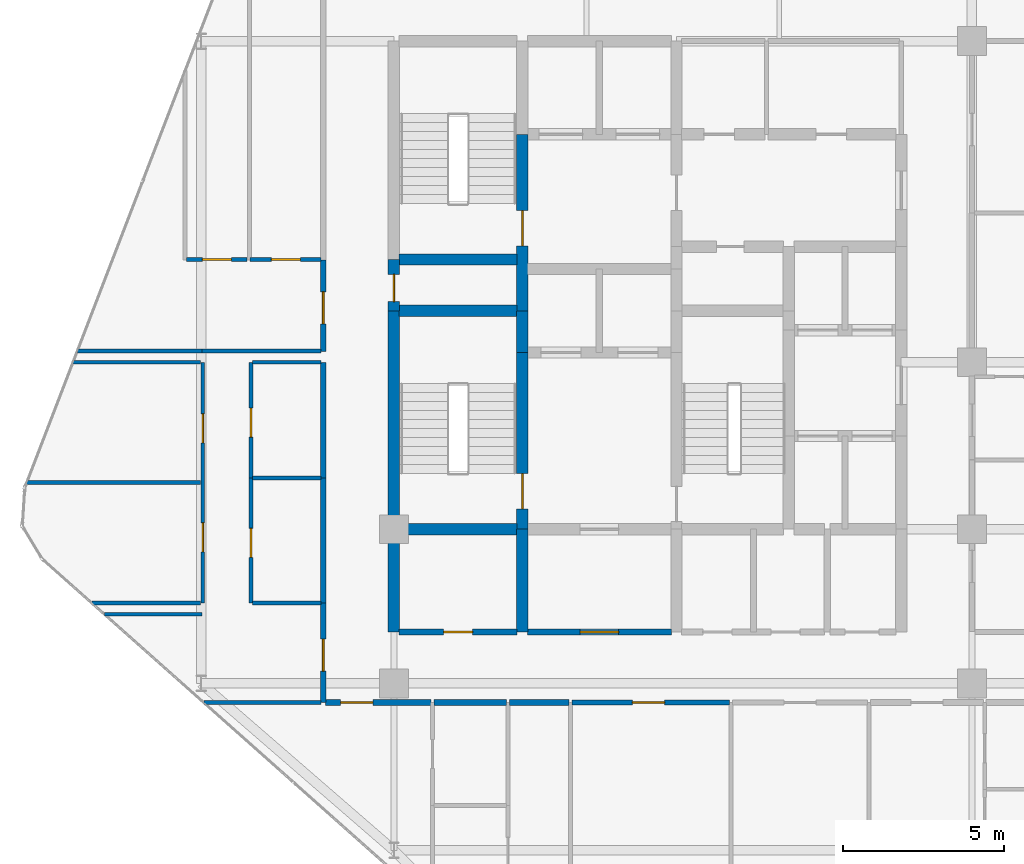
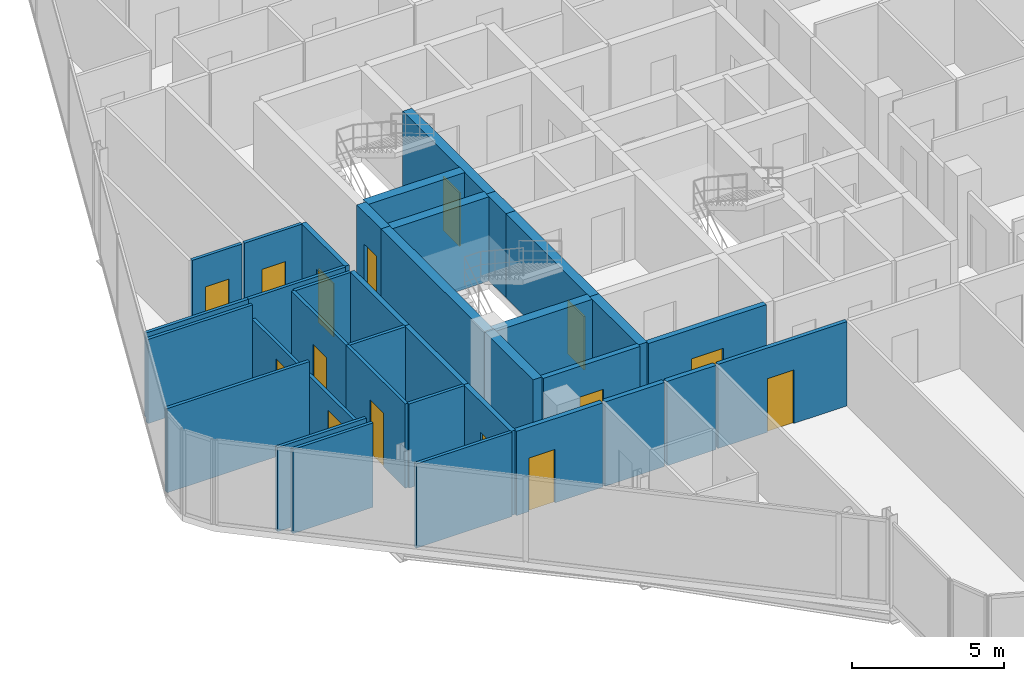
# One storey, part 25 of 31: 35 walls, 15 doors, 15 openings.
"""IFC4 building model written with IfcOpenShell, lengths in metres."""

from ifc_helpers import new_model, si_unit, direction, frame, frame_2d, origin, place, context, subcontext, project, spatial, rectangle, extrude, material, layer, layer_set, type_object, element, fill, save


model = new_model("IFC4")

# Units and contexts
model_context = context("Model", 3, precision=1e-05, world=origin(), true_north=direction((0.0, 1.0)))
body_context = subcontext(model_context, "Body", "Model", "MODEL_VIEW")
ifc_project = project(units=[si_unit("LENGTHUNIT", "METRE"), si_unit("AREAUNIT", "SQUARE_METRE"), si_unit("VOLUMEUNIT", "CUBIC_METRE"), si_unit("PLANEANGLEUNIT", "RADIAN"), si_unit("MASSUNIT", "GRAM", prefix="KILO")], contexts=[model_context])

# Site, building, storey
site_placement = place(None, origin())
site = spatial("IfcSite", under=ifc_project, at=site_placement, CompositionType="ELEMENT")
building_placement = place(site_placement, origin())
building = spatial("IfcBuilding", under=site, at=building_placement, Name="Keshet Zoharim Tower", CompositionType="ELEMENT")
storey_placement = place(building_placement, frame((0.0, 0.0, 144.60009765625)))
storey = spatial("IfcBuildingStorey", under=building, at=storey_placement, Name="L35", CompositionType="ELEMENT", Elevation=144.60009765625)

# Wall, opening, door
ifc_material_1 = material(Name="Gypsum Plasterboard", Category="gypsum")
ifc_layer_1 = layer(ifc_material_1, 0.14990234375)
ifc_layer_set_1 = layer_set([ifc_layer_1], Name="Gypsum Plasterboard")
wall_type_1 = type_object("IfcWallType", Name="WL-CLIN-150", PredefinedType="STANDARD", material=ifc_layer_set_1)
wall_1_placement = place(storey_placement, frame((20.544921875, 17.300048828125, 0.0), z_axis=(0.0, 0.0, 1.0), x_axis=(1.0, 0.0, 0.0)))
wall_1 = element("IfcWall", 1, at=wall_1_placement, inside=storey, type_object=wall_type_1, Name="L35 Interior Wall 122", PredefinedType="STANDARD", context=body_context, shape_type="SweptSolid", body=[
    extrude(rectangle(XDim=4.91015625, YDim=0.14990234375, at=frame_2d((2.455078125, 0.0))), origin(), (0.0, 0.0, 1.0), 3.385009765625),
])
opening_1_placement = place(wall_1_placement, frame((1.884033203125, 0.0, 0.0)))
opening_1 = element("IfcOpeningElement", 2, at=opening_1_placement, cuts=wall_1, Name="Opening D-F310", PredefinedType="OPENING", context=body_context, shape_type="SweptSolid", body=[
    extrude(rectangle(XDim=1.0, YDim=2.14990234375, at=frame_2d((0.5, 1.074951171875))), frame((0.0, 0.0849609375, 0.0), z_axis=(0.0, -1.0, 0.0), x_axis=(1.0, 0.0, 0.0)), (0.0, 0.0, 1.0), 0.169921875),
])
ifc_material_2 = material(Name="Hardwood Timber", Category="wood")
door_type_1 = type_object("IfcDoorType", Name="DR-FD30-100", OperationType="NOTDEFINED", PredefinedType="DOOR", material=ifc_material_2)
door_1_placement = place(opening_1_placement, origin())
door_1 = element("IfcDoor", 3, at=door_1_placement, inside=storey, type_object=door_type_1, Name="L35 Residents Fitness Studio Door", OperationType="SINGLE_SWING_RIGHT", OverallHeight=2.14990234375, OverallWidth=1.0, PredefinedType="DOOR", context=body_context, shape_type="SweptSolid", body=[
    extrude(rectangle(XDim=1.0, YDim=2.14990234375, at=frame_2d((0.5, 1.074951171875))), frame((0.0, 0.02490234375, 0.0), z_axis=(0.0, -1.0, 0.0), x_axis=(1.0, 0.0, 0.0)), (0.0, 0.0, 1.0), 0.050048828125),
])
fill(opening_1, door_1)

# Walls
ifc_material_3 = material(Name="Concrete C60/75", Category="concrete")
ifc_layer_2 = layer(ifc_material_3, 0.35009765625)
ifc_layer_set_2 = layer_set([ifc_layer_2], Name="Concrete C60/75")
wall_type_2 = type_object("IfcWallType", Name="WL-CORE-350", PredefinedType="SHEAR", material=ifc_layer_set_2)
wall_2_placement = place(storey_placement, frame((15.0, 19.5, 0.0), z_axis=(0.0, 0.0, 1.0), x_axis=(0.0, 1.0, 0.0)))
element("IfcWall", 4, at=wall_2_placement, inside=storey, type_object=wall_type_2, Name="L35 Core Shear Wall 014", PredefinedType="SHEAR", context=body_context, shape_type="SweptSolid", body=[
    extrude(rectangle(XDim=3.199951171875, YDim=0.35009765625, at=frame_2d((1.60009765625, 0.0))), origin(), (0.0, 0.0, 1.0), 3.385009765625),
])
wall_3_placement = place(storey_placement, frame((15.0, 22.699951171875, 0.0), z_axis=(0.0, 0.0, 1.0), x_axis=(0.0, 1.0, 0.0)))
element("IfcWall", 5, at=wall_3_placement, inside=storey, type_object=wall_type_2, Name="L35 Core Shear Wall 015", PredefinedType="SHEAR", context=body_context, shape_type="SweptSolid", body=[
    extrude(rectangle(XDim=6.800048828125, YDim=0.35009765625, at=frame_2d((3.39990234375, 0.0))), origin(), (0.0, 0.0, 1.0), 3.385009765625),
])

# Wall, opening, door
wall_4_placement = place(storey_placement, frame((15.0, 29.5, 0.0), z_axis=(0.0, 0.0, 1.0), x_axis=(0.0, 1.0, 0.0)))
wall_4 = element("IfcWall", 6, at=wall_4_placement, inside=storey, type_object=wall_type_2, Name="L35 Core Shear Wall 016", PredefinedType="SHEAR", context=body_context, shape_type="SweptSolid", body=[
    extrude(rectangle(XDim=1.60009765625, YDim=0.35009765625, at=frame_2d((0.800048828125, 0.0))), origin(), (0.0, 0.0, 1.0), 3.385009765625),
])
opening_2_placement = place(wall_4_placement, frame((0.287109375, 0.0, 0.0)))
opening_2 = element("IfcOpeningElement", 7, at=opening_2_placement, cuts=wall_4, Name="Opening D-RS85", PredefinedType="OPENING", context=body_context, shape_type="SweptSolid", body=[
    extrude(rectangle(XDim=0.85009765625, YDim=2.10009765625, at=frame_2d((0.425048828125, 1.050048828125))), frame((0.0, 0.18505859375, 0.0), z_axis=(0.0, -1.0, 0.0), x_axis=(1.0, 0.0, 0.0)), (0.0, 0.0, 1.0), 0.3701171875),
])
door_type_2 = type_object("IfcDoorType", Name="DR-RIS-085", OperationType="NOTDEFINED", PredefinedType="DOOR", material=ifc_material_2)
door_2_placement = place(opening_2_placement, origin())
door_2 = element("IfcDoor", 8, at=door_2_placement, inside=storey, type_object=door_type_2, Name="L35 Electrical Riser Access Cupboard Door", OperationType="SINGLE_SWING_LEFT", OverallHeight=2.10009765625, OverallWidth=0.85009765625, PredefinedType="DOOR", context=body_context, shape_type="SweptSolid", body=[
    extrude(rectangle(XDim=0.85009765625, YDim=2.10009765625, at=frame_2d((0.425048828125, 1.050048828125))), frame((0.0, 0.02490234375, 0.0), z_axis=(0.0, -1.0, 0.0), x_axis=(1.0, 0.0, 0.0)), (0.0, 0.0, 1.0), 0.050048828125),
])
fill(opening_2, door_2)

# Wall
wall_5_placement = place(storey_placement, frame((19.0, 19.5, 0.0), z_axis=(0.0, 0.0, 1.0), x_axis=(0.0, 1.0, 0.0)))
element("IfcWall", 9, at=wall_5_placement, inside=storey, type_object=wall_type_2, Name="L35 Core Shear Wall 024", PredefinedType="SHEAR", context=body_context, shape_type="SweptSolid", body=[
    extrude(rectangle(XDim=3.199951171875, YDim=0.35009765625, at=frame_2d((1.60009765625, 0.0))), origin(), (0.0, 0.0, 1.0), 3.385009765625),
])

# Wall, opening, door
wall_6_placement = place(storey_placement, frame((19.0, 22.699951171875, 0.0), z_axis=(0.0, 0.0, 1.0), x_axis=(0.0, 1.0, 0.0)))
wall_6 = element("IfcWall", 10, at=wall_6_placement, inside=storey, type_object=wall_type_2, Name="L35 Core Shear Wall 025", PredefinedType="SHEAR", context=body_context, shape_type="SweptSolid", body=[
    extrude(rectangle(XDim=5.5, YDim=0.35009765625, at=frame_2d((2.75, 0.0))), origin(), (0.0, 0.0, 1.0), 3.385009765625),
])
opening_3_placement = place(wall_6_placement, frame((0.631103515625, 0.0, 0.0)))
opening_3 = element("IfcOpeningElement", 11, at=opening_3_placement, cuts=wall_6, Name="Opening D-F611", PredefinedType="OPENING", context=body_context, shape_type="SweptSolid", body=[
    extrude(rectangle(XDim=1.10009765625, YDim=2.14990234375, at=frame_2d((0.550048828125, 1.074951171875))), frame((0.0, 0.18505859375, 0.0), z_axis=(0.0, -1.0, 0.0), x_axis=(1.0, 0.0, 0.0)), (0.0, 0.0, 1.0), 0.3701171875),
])
door_type_3 = type_object("IfcDoorType", Name="DR-FD60-110", OperationType="NOTDEFINED", PredefinedType="DOOR", material=ifc_material_2)
door_3_placement = place(opening_3_placement, origin())
door_3 = element("IfcDoor", 12, at=door_3_placement, inside=storey, type_object=door_type_3, Name="L35 Exit Stair ST-01 Fire Door", OperationType="SINGLE_SWING_RIGHT", OverallHeight=2.14990234375, OverallWidth=1.10009765625, PredefinedType="DOOR", context=body_context, shape_type="SweptSolid", body=[
    extrude(rectangle(XDim=1.10009765625, YDim=2.14990234375, at=frame_2d((0.550048828125, 1.074951171875))), frame((0.0, 0.02490234375, 0.0), z_axis=(0.0, -1.0, 0.0), x_axis=(1.0, 0.0, 0.0)), (0.0, 0.0, 1.0), 0.050048828125),
])
fill(opening_3, door_3)

# Wall
wall_7_placement = place(storey_placement, frame((19.0, 28.199951171875, 0.0), z_axis=(0.0, 0.0, 1.0), x_axis=(0.0, 1.0, 0.0)))
element("IfcWall", 13, at=wall_7_placement, inside=storey, type_object=wall_type_2, Name="L35 Core Shear Wall 026", PredefinedType="SHEAR", context=body_context, shape_type="SweptSolid", body=[
    extrude(rectangle(XDim=1.300048828125, YDim=0.35009765625, at=frame_2d((0.64990234375, 0.0))), origin(), (0.0, 0.0, 1.0), 3.385009765625),
])

# Wall, opening, door
wall_8_placement = place(storey_placement, frame((19.0, 29.5, 0.0), z_axis=(0.0, 0.0, 1.0), x_axis=(0.0, 1.0, 0.0)))
wall_8 = element("IfcWall", 14, at=wall_8_placement, inside=storey, type_object=wall_type_2, Name="L35 Core Shear Wall 027", PredefinedType="SHEAR", context=body_context, shape_type="SweptSolid", body=[
    extrude(rectangle(XDim=5.5, YDim=0.35009765625, at=frame_2d((2.75, 0.0))), origin(), (0.0, 0.0, 1.0), 3.385009765625),
])
opening_4_placement = place(wall_8_placement, frame((2.02490234375, 0.0, 0.0)))
opening_4 = element("IfcOpeningElement", 15, at=opening_4_placement, cuts=wall_8, Name="Opening D-F611", PredefinedType="OPENING", context=body_context, shape_type="SweptSolid", body=[
    extrude(rectangle(XDim=1.10009765625, YDim=2.14990234375, at=frame_2d((0.550048828125, 1.074951171875))), frame((0.0, 0.18505859375, 0.0), z_axis=(0.0, -1.0, 0.0), x_axis=(1.0, 0.0, 0.0)), (0.0, 0.0, 1.0), 0.3701171875),
])
door_4_placement = place(opening_4_placement, origin())
door_4 = element("IfcDoor", 16, at=door_4_placement, inside=storey, type_object=door_type_3, Name="L35 Exit Stair ST-02 Fire Door", OperationType="SINGLE_SWING_LEFT", OverallHeight=2.14990234375, OverallWidth=1.10009765625, PredefinedType="DOOR", context=body_context, shape_type="SweptSolid", body=[
    extrude(rectangle(XDim=1.10009765625, YDim=2.14990234375, at=frame_2d((0.550048828125, 1.074951171875))), frame((0.0, 0.02490234375, 0.0), z_axis=(0.0, -1.0, 0.0), x_axis=(1.0, 0.0, 0.0)), (0.0, 0.0, 1.0), 0.050048828125),
])
fill(opening_4, door_4)

# Walls
for number, where, z_axis, x_axis, name in (
    (17, (15.159912109375, 22.699951171875, 0.0), (0.0, 0.0, 1.0), (1.0, 0.0, 0.0), "L35 Core Shear Wall 139"),
    (18, (15.159912109375, 29.5, 0.0), (0.0, 0.0, 1.0), (1.0, 0.0, 0.0), "L35 Core Shear Wall 157"),
    (19, (15.159912109375, 31.10009765625, 0.0), (0.0, 0.0, 1.0), (1.0, 0.0, 0.0), "L35 Core Shear Wall 162"),
):
    element("IfcWall", number, at=place(storey_placement, frame(where, z_axis=z_axis, x_axis=x_axis)), inside=storey, type_object=wall_type_2, Name=name, PredefinedType="SHEAR", context=body_context, shape_type="SweptSolid", body=[
        extrude(rectangle(XDim=3.68017578125, YDim=0.35009765625, at=frame_2d((1.840087890625, 0.0))), origin(), (0.0, 0.0, 1.0), 3.385009765625),
    ])

# Wall, opening, door
ifc_layer_3 = layer(ifc_material_1, 0.179931640625)
ifc_layer_set_3 = layer_set([ifc_layer_3], Name="Gypsum Plasterboard")
wall_type_3 = type_object("IfcWallType", Name="WL-CORR-180", PredefinedType="STANDARD", material=ifc_layer_set_3)
wall_9_placement = place(storey_placement, frame((12.800048828125, 17.300048828125, 0.0), z_axis=(0.0, 0.0, 1.0), x_axis=(0.0, 1.0, 0.0)))
wall_9 = element("IfcWall", 20, at=wall_9_placement, inside=storey, type_object=wall_type_3, Name="L35 Interior Wall 006", PredefinedType="STANDARD", context=body_context, shape_type="SweptSolid", body=[
    extrude(rectangle(XDim=3.099853515625, YDim=0.179931640625, at=frame_2d((1.5498046875, 0.0))), origin(), (0.0, 0.0, 1.0), 3.385009765625),
])
opening_5_placement = place(wall_9_placement, frame((0.97802734375, 0.0, 0.0)))
opening_5 = element("IfcOpeningElement", 21, at=opening_5_placement, cuts=wall_9, Name="Opening D-F310", PredefinedType="OPENING", context=body_context, shape_type="SweptSolid", body=[
    extrude(rectangle(XDim=1.0, YDim=2.14990234375, at=frame_2d((0.5, 1.074951171875))), frame((0.0, 0.10009765625, 0.0), z_axis=(0.0, -1.0, 0.0), x_axis=(1.0, 0.0, 0.0)), (0.0, 0.0, 1.0), 0.199951171875),
])
door_5_placement = place(opening_5_placement, origin())
door_5 = element("IfcDoor", 22, at=door_5_placement, inside=storey, type_object=door_type_1, Name="Apartment 3507 Entrance Door", OperationType="SINGLE_SWING_LEFT", OverallHeight=2.14990234375, OverallWidth=1.0, PredefinedType="DOOR", context=body_context, shape_type="SweptSolid", body=[
    extrude(rectangle(XDim=1.0, YDim=2.14990234375, at=frame_2d((0.5, 1.074951171875))), frame((0.0, 0.02490234375, 0.0), z_axis=(0.0, -1.0, 0.0), x_axis=(1.0, 0.0, 0.0)), (0.0, 0.0, 1.0), 0.050048828125),
])
fill(opening_5, door_5)

# Walls
wall_10_placement = place(storey_placement, frame((12.800048828125, 20.39990234375, 0.0), z_axis=(0.0, 0.0, 1.0), x_axis=(0.0, 1.0, 0.0)))
element("IfcWall", 23, at=wall_10_placement, inside=storey, type_object=wall_type_3, Name="L35 Interior Wall 007", PredefinedType="STANDARD", context=body_context, shape_type="SweptSolid", body=[
    extrude(rectangle(XDim=3.89501953125, YDim=0.179931640625, at=frame_2d((1.947509765625, 0.0))), origin(), (0.0, 0.0, 1.0), 3.385009765625),
])
wall_11_placement = place(storey_placement, frame((12.800048828125, 24.294921875, 0.0), z_axis=(0.0, 0.0, 1.0), x_axis=(0.0, 1.0, 0.0)))
element("IfcWall", 24, at=wall_11_placement, inside=storey, type_object=wall_type_3, Name="L35 Interior Wall 008", PredefinedType="STANDARD", context=body_context, shape_type="SweptSolid", body=[
    extrude(rectangle(XDim=3.594970703125, YDim=0.179931640625, at=frame_2d((1.79736328125, 0.0))), origin(), (0.0, 0.0, 1.0), 3.385009765625),
])

# Wall, opening, door
wall_12_placement = place(storey_placement, frame((12.800048828125, 28.239990234375, 0.0), z_axis=(0.0, 0.0, 1.0), x_axis=(0.0, 1.0, 0.0)))
wall_12 = element("IfcWall", 25, at=wall_12_placement, inside=storey, type_object=wall_type_3, Name="L35 Interior Wall 009", PredefinedType="STANDARD", context=body_context, shape_type="SweptSolid", body=[
    extrude(rectangle(XDim=2.85009765625, YDim=0.179931640625, at=frame_2d((1.425048828125, 0.0))), origin(), (0.0, 0.0, 1.0), 3.385009765625),
])
opening_6_placement = place(wall_12_placement, frame((0.85107421875, 0.0, 0.0)))
opening_6 = element("IfcOpeningElement", 26, at=opening_6_placement, cuts=wall_12, Name="Opening D-F310", PredefinedType="OPENING", context=body_context, shape_type="SweptSolid", body=[
    extrude(rectangle(XDim=1.0, YDim=2.14990234375, at=frame_2d((0.5, 1.074951171875))), frame((0.0, 0.10009765625, 0.0), z_axis=(0.0, -1.0, 0.0), x_axis=(1.0, 0.0, 0.0)), (0.0, 0.0, 1.0), 0.199951171875),
])
door_6_placement = place(opening_6_placement, origin())
door_6 = element("IfcDoor", 27, at=door_6_placement, inside=storey, type_object=door_type_1, Name="Apartment 3508 Entrance Door", OperationType="SINGLE_SWING_RIGHT", OverallHeight=2.14990234375, OverallWidth=1.0, PredefinedType="DOOR", context=body_context, shape_type="SweptSolid", body=[
    extrude(rectangle(XDim=1.0, YDim=2.14990234375, at=frame_2d((0.5, 1.074951171875))), frame((0.0, 0.02490234375, 0.0), z_axis=(0.0, -1.0, 0.0), x_axis=(1.0, 0.0, 0.0)), (0.0, 0.0, 1.0), 0.050048828125),
])
fill(opening_6, door_6)

wall_13_placement = place(storey_placement, frame((12.875, 17.300048828125, 0.0), z_axis=(0.0, 0.0, 1.0), x_axis=(1.0, 0.0, 0.0)))
wall_13 = element("IfcWall", 28, at=wall_13_placement, inside=storey, type_object=wall_type_3, Name="L35 Interior Wall 119", PredefinedType="STANDARD", context=body_context, shape_type="SweptSolid", body=[
    extrude(rectangle(XDim=3.280029296875, YDim=0.179931640625, at=frame_2d((1.64013671875, 0.0))), origin(), (0.0, 0.0, 1.0), 3.385009765625),
])
opening_7_placement = place(wall_13_placement, frame((0.470947265625, 0.0, 0.0)))
opening_7 = element("IfcOpeningElement", 29, at=opening_7_placement, cuts=wall_13, Name="Opening D-F310", PredefinedType="OPENING", context=body_context, shape_type="SweptSolid", body=[
    extrude(rectangle(XDim=1.0, YDim=2.14990234375, at=frame_2d((0.5, 1.074951171875))), frame((0.0, 0.10009765625, 0.0), z_axis=(0.0, -1.0, 0.0), x_axis=(1.0, 0.0, 0.0)), (0.0, 0.0, 1.0), 0.199951171875),
])
door_7_placement = place(opening_7_placement, origin())
door_7 = element("IfcDoor", 30, at=door_7_placement, inside=storey, type_object=door_type_1, Name="Apartment 3501 Entrance Door", OperationType="SINGLE_SWING_LEFT", OverallHeight=2.14990234375, OverallWidth=1.0, PredefinedType="DOOR", context=body_context, shape_type="SweptSolid", body=[
    extrude(rectangle(XDim=1.0, YDim=2.14990234375, at=frame_2d((0.5, 1.074951171875))), frame((0.0, 0.02490234375, 0.0), z_axis=(0.0, -1.0, 0.0), x_axis=(1.0, 0.0, 0.0)), (0.0, 0.0, 1.0), 0.050048828125),
])
fill(opening_7, door_7)

# Walls
wall_14_placement = place(storey_placement, frame((16.2451171875, 17.300048828125, 0.0), z_axis=(0.0, 0.0, 1.0), x_axis=(1.0, 0.0, 0.0)))
element("IfcWall", 31, at=wall_14_placement, inside=storey, type_object=wall_type_3, Name="L35 Interior Wall 120", PredefinedType="STANDARD", context=body_context, shape_type="SweptSolid", body=[
    extrude(rectangle(XDim=2.259765625, YDim=0.179931640625, at=frame_2d((1.1298828125, 0.0))), origin(), (0.0, 0.0, 1.0), 3.385009765625),
])
wall_15_placement = place(storey_placement, frame((18.594970703125, 17.300048828125, 0.0), z_axis=(0.0, 0.0, 1.0), x_axis=(1.0, 0.0, 0.0)))
element("IfcWall", 32, at=wall_15_placement, inside=storey, type_object=wall_type_3, Name="L35 Interior Wall 121", PredefinedType="STANDARD", context=body_context, shape_type="SweptSolid", body=[
    extrude(rectangle(XDim=1.860107421875, YDim=0.179931640625, at=frame_2d((0.93017578125, 0.0))), origin(), (0.0, 0.0, 1.0), 3.385009765625),
])

# Wall, opening, door
ifc_material_4 = material(Name="Concrete C50/60", Category="concrete")
ifc_layer_4 = layer(ifc_material_4, 0.199951171875)
ifc_layer_set_4 = layer_set([ifc_layer_4], Name="Concrete C50/60")
wall_type_4 = type_object("IfcWallType", Name="WL-FIRE-200", PredefinedType="STANDARD", material=ifc_layer_set_4)
wall_16_placement = place(storey_placement, frame((15.159912109375, 19.5, 0.0), z_axis=(0.0, 0.0, 1.0), x_axis=(1.0, 0.0, 0.0)))
wall_16 = element("IfcWall", 33, at=wall_16_placement, inside=storey, type_object=wall_type_4, Name="L35 Interior Wall 131", PredefinedType="STANDARD", context=body_context, shape_type="SweptSolid", body=[
    extrude(rectangle(XDim=3.68017578125, YDim=0.199951171875, at=frame_2d((1.840087890625, 0.0))), origin(), (0.0, 0.0, 1.0), 3.385009765625),
])
opening_8_placement = place(wall_16_placement, frame((1.389892578125, 0.0, 0.0)))
opening_8 = element("IfcOpeningElement", 34, at=opening_8_placement, cuts=wall_16, Name="Opening D-F690", PredefinedType="OPENING", context=body_context, shape_type="SweptSolid", body=[
    extrude(rectangle(XDim=0.89990234375, YDim=2.14990234375, at=frame_2d((0.449951171875, 1.074951171875))), frame((0.0, 0.10986328125, 0.0), z_axis=(0.0, -1.0, 0.0), x_axis=(1.0, 0.0, 0.0)), (0.0, 0.0, 1.0), 0.219970703125),
])
door_type_4 = type_object("IfcDoorType", Name="DR-FD60-090", OperationType="NOTDEFINED", PredefinedType="DOOR", material=ifc_material_2)
door_8_placement = place(opening_8_placement, origin())
door_8 = element("IfcDoor", 35, at=door_8_placement, inside=storey, type_object=door_type_4, Name="L35 Pram Store Door", OperationType="SINGLE_SWING_LEFT", OverallHeight=2.14990234375, OverallWidth=0.89990234375, PredefinedType="DOOR", context=body_context, shape_type="SweptSolid", body=[
    extrude(rectangle(XDim=0.89990234375, YDim=2.14990234375, at=frame_2d((0.449951171875, 1.074951171875))), frame((0.0, 0.02490234375, 0.0), z_axis=(0.0, -1.0, 0.0), x_axis=(1.0, 0.0, 0.0)), (0.0, 0.0, 1.0), 0.050048828125),
])
fill(opening_8, door_8)

wall_17_placement = place(storey_placement, frame((19.159912109375, 19.5, 0.0), z_axis=(0.0, 0.0, 1.0), x_axis=(1.0, 0.0, 0.0)))
wall_17 = element("IfcWall", 36, at=wall_17_placement, inside=storey, type_object=wall_type_4, Name="L35 Interior Wall 132", PredefinedType="STANDARD", context=body_context, shape_type="SweptSolid", body=[
    extrude(rectangle(XDim=4.47998046875, YDim=0.199951171875, at=frame_2d((2.239990234375, 0.0))), origin(), (0.0, 0.0, 1.0), 3.385009765625),
])
opening_9_placement = place(wall_17_placement, frame((1.639892578125, 0.0, 0.0)))
opening_9 = element("IfcOpeningElement", 37, at=opening_9_placement, cuts=wall_17, Name="Opening D-F612", PredefinedType="OPENING", context=body_context, shape_type="SweptSolid", body=[
    extrude(rectangle(XDim=1.199951171875, YDim=2.199951171875, at=frame_2d((0.60009765625, 1.10009765625))), frame((0.0, 0.10986328125, 0.0), z_axis=(0.0, -1.0, 0.0), x_axis=(1.0, 0.0, 0.0)), (0.0, 0.0, 1.0), 0.219970703125),
])
door_type_5 = type_object("IfcDoorType", Name="DR-FD60-120", OperationType="NOTDEFINED", PredefinedType="DOOR", material=ifc_material_2)
door_9_placement = place(opening_9_placement, origin())
door_9 = element("IfcDoor", 38, at=door_9_placement, inside=storey, type_object=door_type_5, Name="L35 South Vestibule Corridor Door", OperationType="SINGLE_SWING_RIGHT", OverallHeight=2.199951171875, OverallWidth=1.199951171875, PredefinedType="DOOR", context=body_context, shape_type="SweptSolid", body=[
    extrude(rectangle(XDim=1.199951171875, YDim=2.199951171875, at=frame_2d((0.60009765625, 1.10009765625))), frame((0.0, 0.02490234375, 0.0), z_axis=(0.0, -1.0, 0.0), x_axis=(1.0, 0.0, 0.0)), (0.0, 0.0, 1.0), 0.050048828125),
])
fill(opening_9, door_9)

# Wall, openings, doors
ifc_layer_5 = layer(ifc_material_1, 0.1201171875)
ifc_layer_set_5 = layer_set([ifc_layer_5], Name="Gypsum Plasterboard")
wall_type_5 = type_object("IfcWallType", Name="WL-PART-120", PredefinedType="PARTITIONING", material=ifc_layer_set_5)
wall_18_placement = place(storey_placement, frame((9.050048828125, 20.39990234375, 0.0), z_axis=(0.0, 0.0, 1.0), x_axis=(0.0, 1.0, 0.0)))
wall_18 = element("IfcWall", 39, at=wall_18_placement, inside=storey, type_object=wall_type_5, Name="L35 Interior Wall 002", PredefinedType="PARTITIONING", context=body_context, shape_type="SweptSolid", body=[
    extrude(rectangle(XDim=7.489990234375, YDim=0.1201171875, at=frame_2d((3.7451171875, 0.0))), origin(), (0.0, 0.0, 1.0), 2.784912109375),
])
opening_10_placement = place(wall_18_placement, frame((1.596923828125, 0.0, 0.0)))
opening_10 = element("IfcOpeningElement", 40, at=opening_10_placement, cuts=wall_18, Name="Opening D-IN90", PredefinedType="OPENING", context=body_context, shape_type="SweptSolid", body=[
    extrude(rectangle(XDim=0.89990234375, YDim=2.14990234375, at=frame_2d((0.449951171875, 1.074951171875))), frame((0.0, 0.070068359375, 0.0), z_axis=(0.0, -1.0, 0.0), x_axis=(1.0, 0.0, 0.0)), (0.0, 0.0, 1.0), 0.14013671875),
])
opening_11_placement = place(wall_18_placement, frame((4.991943359375, 0.0, 0.0)))
opening_11 = element("IfcOpeningElement", 41, at=opening_11_placement, cuts=wall_18, Name="Opening D-IN90", PredefinedType="OPENING", context=body_context, shape_type="SweptSolid", body=[
    extrude(rectangle(XDim=0.89990234375, YDim=2.14990234375, at=frame_2d((0.449951171875, 1.074951171875))), frame((0.0, 0.070068359375, 0.0), z_axis=(0.0, -1.0, 0.0), x_axis=(1.0, 0.0, 0.0)), (0.0, 0.0, 1.0), 0.14013671875),
])
door_type_6 = type_object("IfcDoorType", Name="DR-INT-090", OperationType="NOTDEFINED", PredefinedType="DOOR", material=ifc_material_2)
door_10_placement = place(opening_10_placement, origin())
door_10 = element("IfcDoor", 42, at=door_10_placement, inside=storey, type_object=door_type_6, Name="Apartment 3507 Bedroom 1 Door", OperationType="SINGLE_SWING_LEFT", OverallHeight=2.14990234375, OverallWidth=0.89990234375, PredefinedType="DOOR", context=body_context, shape_type="SweptSolid", body=[
    extrude(rectangle(XDim=0.89990234375, YDim=2.14990234375, at=frame_2d((0.449951171875, 1.074951171875))), frame((0.0, 0.02490234375, 0.0), z_axis=(0.0, -1.0, 0.0), x_axis=(1.0, 0.0, 0.0)), (0.0, 0.0, 1.0), 0.050048828125),
])
fill(opening_10, door_10)
door_11_placement = place(opening_11_placement, origin())
door_11 = element("IfcDoor", 43, at=door_11_placement, inside=storey, type_object=door_type_6, Name="Apartment 3507 Bedroom 2 Door", OperationType="SINGLE_SWING_RIGHT", OverallHeight=2.14990234375, OverallWidth=0.89990234375, PredefinedType="DOOR", context=body_context, shape_type="SweptSolid", body=[
    extrude(rectangle(XDim=0.89990234375, YDim=2.14990234375, at=frame_2d((0.449951171875, 1.074951171875))), frame((0.0, 0.02490234375, 0.0), z_axis=(0.0, -1.0, 0.0), x_axis=(1.0, 0.0, 0.0)), (0.0, 0.0, 1.0), 0.050048828125),
])
fill(opening_11, door_11)

# Wall, opening, door
wall_19_placement = place(storey_placement, frame((10.550048828125, 20.39990234375, 0.0), z_axis=(0.0, 0.0, 1.0), x_axis=(0.0, 1.0, 0.0)))
wall_19 = element("IfcWall", 44, at=wall_19_placement, inside=storey, type_object=wall_type_5, Name="L35 Interior Wall 004", PredefinedType="PARTITIONING", context=body_context, shape_type="SweptSolid", body=[
    extrude(rectangle(XDim=3.89501953125, YDim=0.1201171875, at=frame_2d((1.947509765625, 0.0))), origin(), (0.0, 0.0, 1.0), 3.385009765625),
])
opening_12_placement = place(wall_19_placement, frame((1.424072265625, 0.0, 0.0)))
opening_12 = element("IfcOpeningElement", 45, at=opening_12_placement, cuts=wall_19, Name="Opening D-IN90", PredefinedType="OPENING", context=body_context, shape_type="SweptSolid", body=[
    extrude(rectangle(XDim=0.89990234375, YDim=2.14990234375, at=frame_2d((0.449951171875, 1.074951171875))), frame((0.0, 0.070068359375, 0.0), z_axis=(0.0, -1.0, 0.0), x_axis=(1.0, 0.0, 0.0)), (0.0, 0.0, 1.0), 0.14013671875),
])
door_12_placement = place(opening_12_placement, origin())
door_12 = element("IfcDoor", 46, at=door_12_placement, inside=storey, type_object=door_type_6, Name="Apartment 3507 Kitchen Door", OperationType="SINGLE_SWING_LEFT", OverallHeight=2.14990234375, OverallWidth=0.89990234375, PredefinedType="DOOR", context=body_context, shape_type="SweptSolid", body=[
    extrude(rectangle(XDim=0.89990234375, YDim=2.14990234375, at=frame_2d((0.449951171875, 1.074951171875))), frame((0.0, 0.02490234375, 0.0), z_axis=(0.0, -1.0, 0.0), x_axis=(1.0, 0.0, 0.0)), (0.0, 0.0, 1.0), 0.050048828125),
])
fill(opening_12, door_12)

# Walls
wall_20_placement = place(storey_placement, frame((9.0849609375, 17.300048828125, 0.0), z_axis=(0.0, 0.0, 1.0), x_axis=(1.0, 0.0, 0.0)))
element("IfcWall", 47, at=wall_20_placement, inside=storey, type_object=wall_type_5, Name="L35 Interior Wall 118", PredefinedType="PARTITIONING", context=body_context, shape_type="SweptSolid", body=[
    extrude(rectangle(XDim=3.64013671875, YDim=0.1201171875, at=frame_2d((1.820068359375, 0.0))), origin(), (0.0, 0.0, 1.0), 3.385009765625),
])
wall_21_placement = place(storey_placement, frame((5.990966796875, 20.050048828125, 0.0), z_axis=(0.0, 0.0, 1.0), x_axis=(1.0, 0.0, 0.0)))
element("IfcWall", 48, at=wall_21_placement, inside=storey, type_object=wall_type_5, Name="L35 Interior Wall 136", PredefinedType="PARTITIONING", context=body_context, shape_type="SweptSolid", body=[
    extrude(rectangle(XDim=3.0390625, YDim=0.1201171875, at=frame_2d((1.51953125, 0.0))), origin(), (0.0, 0.0, 1.0), 3.385009765625),
])
wall_22_placement = place(storey_placement, frame((5.597900390625, 20.39990234375, 0.0), z_axis=(0.0, 0.0, 1.0), x_axis=(1.0, 0.0, 0.0)))
element("IfcWall", 49, at=wall_22_placement, inside=storey, type_object=wall_type_5, Name="L35 Interior Wall 137", PredefinedType="PARTITIONING", context=body_context, shape_type="SweptSolid", body=[
    extrude(rectangle(XDim=3.38720703125, YDim=0.1201171875, at=frame_2d((1.693603515625, 0.0))), origin(), (0.0, 0.0, 1.0), 3.385009765625),
])
wall_23_placement = place(storey_placement, frame((10.594970703125, 20.39990234375, 0.0), z_axis=(0.0, 0.0, 1.0), x_axis=(1.0, 0.0, 0.0)))
element("IfcWall", 50, at=wall_23_placement, inside=storey, type_object=wall_type_5, Name="L35 Interior Wall 138", PredefinedType="PARTITIONING", context=body_context, shape_type="SweptSolid", body=[
    extrude(rectangle(XDim=2.130126953125, YDim=0.1201171875, at=frame_2d((1.06494140625, 0.0))), origin(), (0.0, 0.0, 1.0), 3.385009765625),
])
wall_24_placement = place(storey_placement, frame((3.56689453125, 24.14990234375, 0.0), z_axis=(0.0, 0.0, 1.0), x_axis=(1.0, 0.0, 0.0)))
element("IfcWall", 51, at=wall_24_placement, inside=storey, type_object=wall_type_5, Name="L35 Interior Wall 144", PredefinedType="PARTITIONING", context=body_context, shape_type="SweptSolid", body=[
    extrude(rectangle(XDim=5.418212890625, YDim=0.1201171875, at=frame_2d((2.708984375, 0.0))), origin(), (0.0, 0.0, 1.0), 3.385009765625),
])
wall_25_placement = place(storey_placement, frame((5.010009765625, 27.89990234375, 0.0), z_axis=(0.0, 0.0, 1.0), x_axis=(1.0, 0.0, 0.0)))
element("IfcWall", 52, at=wall_25_placement, inside=storey, type_object=wall_type_5, Name="L35 Interior Wall 151", PredefinedType="PARTITIONING", context=body_context, shape_type="SweptSolid", body=[
    extrude(rectangle(XDim=3.97509765625, YDim=0.1201171875, at=frame_2d((1.987548828125, 0.0))), origin(), (0.0, 0.0, 1.0), 3.385009765625),
])
wall_26_placement = place(storey_placement, frame((5.14404296875, 28.25, 0.0), z_axis=(0.0, 0.0, 1.0), x_axis=(1.0, 0.0, 0.0)))
element("IfcWall", 53, at=wall_26_placement, inside=storey, type_object=wall_type_5, Name="L35 Interior Wall 154", PredefinedType="PARTITIONING", context=body_context, shape_type="SweptSolid", body=[
    extrude(rectangle(XDim=3.885986328125, YDim=0.1201171875, at=frame_2d((1.94287109375, 0.0))), origin(), (0.0, 0.0, 1.0), 3.385009765625),
])
wall_27_placement = place(storey_placement, frame((9.030029296875, 28.25, 0.0), z_axis=(0.0, 0.0, 1.0), x_axis=(1.0, 0.0, 0.0)))
element("IfcWall", 54, at=wall_27_placement, inside=storey, type_object=wall_type_5, Name="L35 Interior Wall 155", PredefinedType="PARTITIONING", context=body_context, shape_type="SweptSolid", body=[
    extrude(rectangle(XDim=3.695068359375, YDim=0.1201171875, at=frame_2d((1.84765625, 0.0))), origin(), (0.0, 0.0, 1.0), 3.385009765625),
])

# Wall, opening, door
wall_28_placement = place(storey_placement, frame((8.544921875, 31.10009765625, 0.0), z_axis=(0.0, 0.0, 1.0), x_axis=(1.0, 0.0, 0.0)))
wall_28 = element("IfcWall", 55, at=wall_28_placement, inside=storey, type_object=wall_type_5, Name="L35 Interior Wall 160", PredefinedType="PARTITIONING", context=body_context, shape_type="SweptSolid", body=[
    extrude(rectangle(XDim=1.88818359375, YDim=0.1201171875, at=frame_2d((0.944091796875, 0.0))), origin(), (0.0, 0.0, 1.0), 3.385009765625),
])
opening_13_placement = place(wall_28_placement, frame((0.493896484375, 0.0, 0.0)))
opening_13 = element("IfcOpeningElement", 56, at=opening_13_placement, cuts=wall_28, Name="Opening D-IN90", PredefinedType="OPENING", context=body_context, shape_type="SweptSolid", body=[
    extrude(rectangle(XDim=0.89990234375, YDim=2.14990234375, at=frame_2d((0.449951171875, 1.074951171875))), frame((0.0, 0.070068359375, 0.0), z_axis=(0.0, -1.0, 0.0), x_axis=(1.0, 0.0, 0.0)), (0.0, 0.0, 1.0), 0.14013671875),
])
door_13_placement = place(opening_13_placement, origin())
door_13 = element("IfcDoor", 57, at=door_13_placement, inside=storey, type_object=door_type_6, Name="Apartment 3508 Kitchen Door", OperationType="SINGLE_SWING_LEFT", OverallHeight=2.14990234375, OverallWidth=0.89990234375, PredefinedType="DOOR", context=body_context, shape_type="SweptSolid", body=[
    extrude(rectangle(XDim=0.89990234375, YDim=2.14990234375, at=frame_2d((0.449951171875, 1.074951171875))), frame((0.0, 0.02490234375, 0.0), z_axis=(0.0, -1.0, 0.0), x_axis=(1.0, 0.0, 0.0)), (0.0, 0.0, 1.0), 0.050048828125),
])
fill(opening_13, door_13)

ifc_layer_6 = layer(ifc_material_1, 0.1201171875)
ifc_layer_set_6 = layer_set([ifc_layer_6], Name="Gypsum Plasterboard")
wall_type_6 = type_object("IfcWallType", Name="WL-WET-120", PredefinedType="PARTITIONING", material=ifc_layer_set_6)
wall_29_placement = place(storey_placement, frame((10.550048828125, 24.294921875, 0.0), z_axis=(0.0, 0.0, 1.0), x_axis=(0.0, 1.0, 0.0)))
wall_29 = element("IfcWall", 58, at=wall_29_placement, inside=storey, type_object=wall_type_6, Name="L35 Interior Wall 005", PredefinedType="PARTITIONING", context=body_context, shape_type="SweptSolid", body=[
    extrude(rectangle(XDim=3.594970703125, YDim=0.1201171875, at=frame_2d((1.79736328125, 0.0))), origin(), (0.0, 0.0, 1.0), 3.385009765625),
])
opening_14_placement = place(wall_29_placement, frame((1.27490234375, 0.0, 0.0)))
opening_14 = element("IfcOpeningElement", 59, at=opening_14_placement, cuts=wall_29, Name="Opening D-WT90", PredefinedType="OPENING", context=body_context, shape_type="SweptSolid", body=[
    extrude(rectangle(XDim=0.89990234375, YDim=2.10009765625, at=frame_2d((0.449951171875, 1.050048828125))), frame((0.0, 0.070068359375, 0.0), z_axis=(0.0, -1.0, 0.0), x_axis=(1.0, 0.0, 0.0)), (0.0, 0.0, 1.0), 0.14013671875),
])
door_type_7 = type_object("IfcDoorType", Name="DR-WET-090", OperationType="NOTDEFINED", PredefinedType="DOOR", material=ifc_material_2)
door_14_placement = place(opening_14_placement, origin())
door_14 = element("IfcDoor", 60, at=door_14_placement, inside=storey, type_object=door_type_7, Name="Apartment 3507 Bathroom Door", OperationType="SINGLE_SWING_RIGHT", OverallHeight=2.10009765625, OverallWidth=0.89990234375, PredefinedType="DOOR", context=body_context, shape_type="SweptSolid", body=[
    extrude(rectangle(XDim=0.89990234375, YDim=2.10009765625, at=frame_2d((0.449951171875, 1.050048828125))), frame((0.0, 0.02490234375, 0.0), z_axis=(0.0, -1.0, 0.0), x_axis=(1.0, 0.0, 0.0)), (0.0, 0.0, 1.0), 0.050048828125),
])
fill(opening_14, door_14)

# Walls
for number, where, z_axis, x_axis, name in (
    (61, (10.594970703125, 24.300048828125, 0.0), (0.0, 0.0, 1.0), (1.0, 0.0, 0.0), "L35 Interior Wall 145"),
    (62, (10.594970703125, 27.89990234375, 0.0), (0.0, 0.0, 1.0), (1.0, 0.0, 0.0), "L35 Interior Wall 152"),
):
    element("IfcWall", number, at=place(storey_placement, frame(where, z_axis=z_axis, x_axis=x_axis)), inside=storey, type_object=wall_type_6, Name=name, PredefinedType="PARTITIONING", context=body_context, shape_type="SweptSolid", body=[
        extrude(rectangle(XDim=2.130126953125, YDim=0.1201171875, at=frame_2d((1.06494140625, 0.0))), origin(), (0.0, 0.0, 1.0), 3.385009765625),
    ])

# Wall, opening, door
wall_30_placement = place(storey_placement, frame((10.52294921875, 31.10009765625, 0.0), z_axis=(0.0, 0.0, 1.0), x_axis=(1.0, 0.0, 0.0)))
wall_30 = element("IfcWall", 63, at=wall_30_placement, inside=storey, type_object=wall_type_6, Name="L35 Interior Wall 161", PredefinedType="PARTITIONING", context=body_context, shape_type="SweptSolid", body=[
    extrude(rectangle(XDim=2.2021484375, YDim=0.1201171875, at=frame_2d((1.10107421875, 0.0))), origin(), (0.0, 0.0, 1.0), 3.385009765625),
])
opening_15_placement = place(wall_30_placement, frame((0.666015625, 0.0, 0.0)))
opening_15 = element("IfcOpeningElement", 64, at=opening_15_placement, cuts=wall_30, Name="Opening D-WT90", PredefinedType="OPENING", context=body_context, shape_type="SweptSolid", body=[
    extrude(rectangle(XDim=0.89990234375, YDim=2.10009765625, at=frame_2d((0.449951171875, 1.050048828125))), frame((0.0, 0.070068359375, 0.0), z_axis=(0.0, -1.0, 0.0), x_axis=(1.0, 0.0, 0.0)), (0.0, 0.0, 1.0), 0.14013671875),
])
door_15_placement = place(opening_15_placement, origin())
door_15 = element("IfcDoor", 65, at=door_15_placement, inside=storey, type_object=door_type_7, Name="Apartment 3508 Bathroom Door", OperationType="SINGLE_SWING_RIGHT", OverallHeight=2.10009765625, OverallWidth=0.89990234375, PredefinedType="DOOR", context=body_context, shape_type="SweptSolid", body=[
    extrude(rectangle(XDim=0.89990234375, YDim=2.10009765625, at=frame_2d((0.449951171875, 1.050048828125))), frame((0.0, 0.02490234375, 0.0), z_axis=(0.0, -1.0, 0.0), x_axis=(1.0, 0.0, 0.0)), (0.0, 0.0, 1.0), 0.050048828125),
])
fill(opening_15, door_15)

save(model, "model.ifc")
